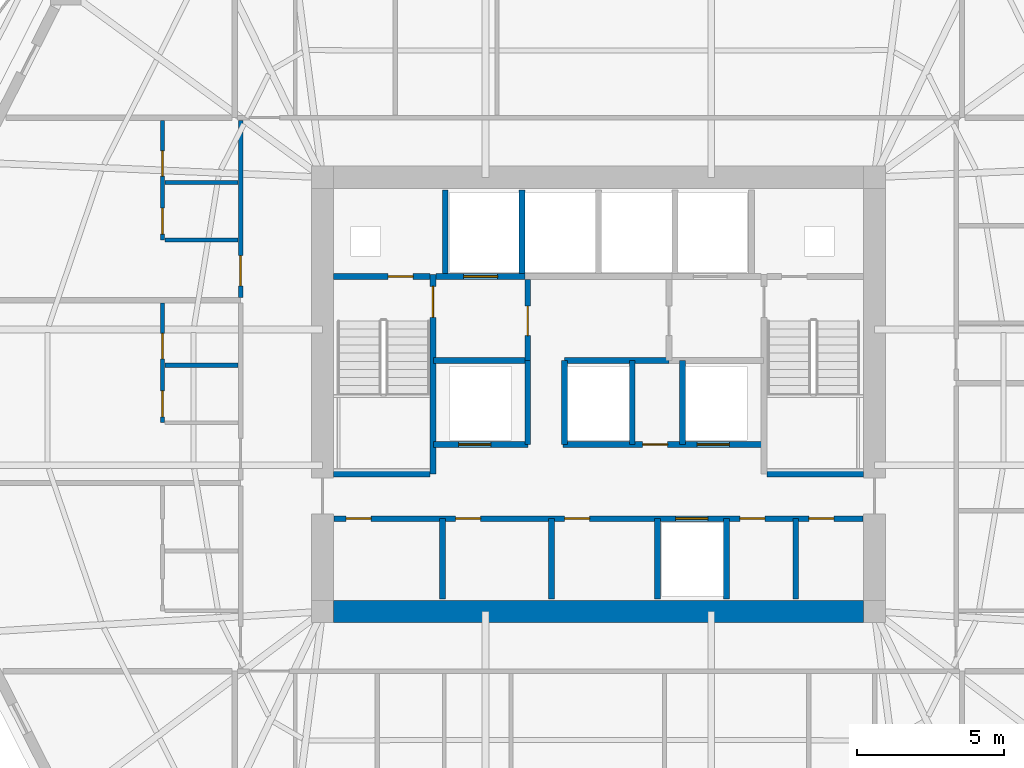
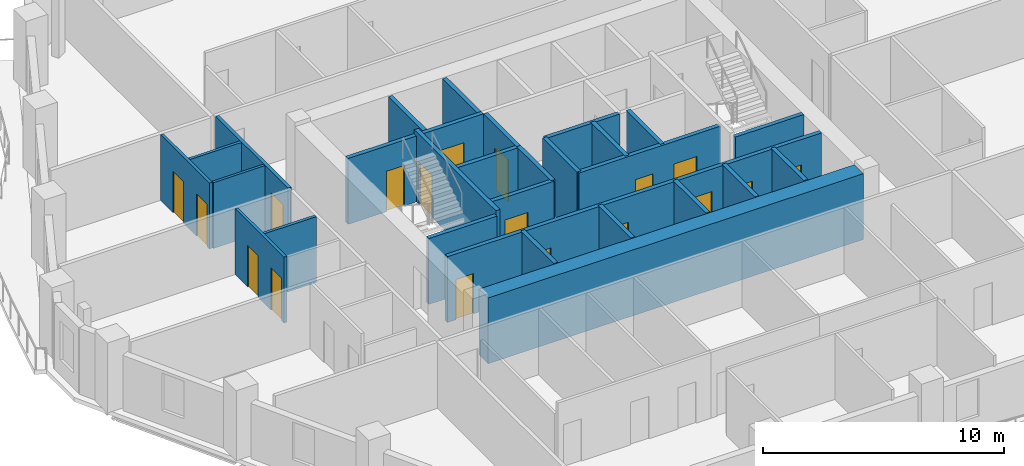
# One storey, part 5 of 10: 29 walls, 18 doors, 18 openings.
"""IFC4 building model written with IfcOpenShell, lengths in metres."""

import ifcopenshell
import ifcopenshell.guid

model = None  # the IFC model being written
_history = None  # IfcOwnerHistory: only IFC2X3 demands one
_inside = {}  # id of a spatial element -> (the spatial element, [elements in it])
_under = {}  # id of a project, library or spatial element -> (it, [spatial elements below it])
_declared = {}  # id of a project -> (the project, [libraries it declares])
_typed = {}  # id of a type object -> (the type object, [elements of that type])
_made_of = {}  # id of a material, layer set ... -> (it, [elements and type objects made of it])


def new_model(schema):
    """Start an empty IFC model of exactly this schema.

    Asked for "IFC4X3", IfcOpenShell would pick the latest addendum, in which some entities
    have other attributes; the version numbers below select the first issue.
    IFC2X3 requires an IfcOwnerHistory on every rooted entity: one is made here for all.
    """
    global model, _history
    if schema == "IFC4X3":
        model = ifcopenshell.file(schema_version=(4, 3, 0, 0))
    else:
        model = ifcopenshell.file(schema=schema)
    _inside.clear()
    _under.clear()
    _declared.clear()
    _typed.clear()
    _made_of.clear()
    _history = None
    if model.schema == "IFC2X3":
        org = make("IfcOrganization", Name="unknown")
        user = make(
            "IfcPersonAndOrganization",
            ThePerson=make("IfcPerson", FamilyName="unknown"),
            TheOrganization=org,
        )
        app = make(
            "IfcApplication",
            ApplicationDeveloper=org,
            Version="unknown",
            ApplicationFullName="unknown",
            ApplicationIdentifier="unknown",
        )
        _history = make(
            "IfcOwnerHistory",
            OwningUser=user,
            OwningApplication=app,
            ChangeAction="ADDED",
            CreationDate=0,
        )
    return model


def make(cls, **values):
    """One entity of the class cls with the attributes given. An attribute that is None is left unset."""
    return model.create_entity(
        cls, **{name: value for name, value in values.items() if value is not None}
    )


def rooted(cls, **values):
    """An entity with a GlobalId (a new one), such as an element, a storey or a relation."""
    return make(cls, GlobalId=ifcopenshell.guid.new(), OwnerHistory=_history, **values)


def si_unit(unit_type, name, prefix=None):
    """IfcSIUnit, for example si_unit("LENGTHUNIT", "METRE", prefix="MILLI")."""
    return make("IfcSIUnit", UnitType=unit_type, Prefix=prefix, Name=name)


def assignment(units):
    """IfcUnitAssignment: the units of a project."""
    return None if units is None else make("IfcUnitAssignment", Units=units)


def point(xyz):
    """IfcCartesianPoint."""
    return None if xyz is None else make("IfcCartesianPoint", Coordinates=xyz)


def direction(xyz):
    """IfcDirection."""
    return None if xyz is None else make("IfcDirection", DirectionRatios=xyz)


def frame(location, z_axis=None, x_axis=None):
    """IfcAxis2Placement3D, a coordinate frame: its origin and axes. An axis left out is left unset."""
    return make(
        "IfcAxis2Placement3D",
        Location=point(location),
        Axis=direction(z_axis),
        RefDirection=direction(x_axis),
    )


def frame_2d(location, x_axis=None):
    """IfcAxis2Placement2D, a coordinate frame in the plane: its origin and x axis."""
    return make(
        "IfcAxis2Placement2D", Location=point(location), RefDirection=direction(x_axis)
    )


def origin():
    """The frame at (0, 0, 0) with its axes left unset."""
    return frame((0.0, 0.0, 0.0))


def place(relative_to, where):
    """IfcLocalPlacement: puts the frame where relative to a parent placement (None: the world)."""
    return make(
        "IfcLocalPlacement", PlacementRelTo=relative_to, RelativePlacement=where
    )


def context(
    kind, dimensions, precision=None, world=None, true_north=None, identifier=None
):
    """IfcGeometricRepresentationContext, for example the 3D "Model" context."""
    return make(
        "IfcGeometricRepresentationContext",
        ContextIdentifier=identifier,
        ContextType=kind,
        CoordinateSpaceDimension=dimensions,
        Precision=precision,
        WorldCoordinateSystem=world,
        TrueNorth=true_north,
    )


def subcontext(parent, identifier, kind, view, scale=None):
    """IfcGeometricRepresentationSubContext, for example "Body" below "Model"."""
    return make(
        "IfcGeometricRepresentationSubContext",
        ContextIdentifier=identifier,
        ContextType=kind,
        ParentContext=parent,
        TargetScale=scale,
        TargetView=view,
    )


def project(units=None, contexts=None):
    """IfcProject with its units and contexts."""
    return rooted(
        "IfcProject",
        Name="project",
        RepresentationContexts=contexts,
        UnitsInContext=assignment(units),
    )


def spatial(cls, under=None, at=None, **own):
    """A site, building, storey or space (cls), placed at a placement, below another one or the project."""
    s = rooted(cls, ObjectPlacement=at, **own)
    if under is not None:
        _under.setdefault(under.id(), (under, []))[1].append(s)
    return s


def profile(cls, at=None, kind="AREA", **sizes):
    """A parametric profile (cls). Its sizes go by their IFC names, for example OverallWidth=200.0."""
    return make(cls, ProfileType=kind, Position=at, **sizes)


def rectangle(**sizes):
    """IfcRectangleProfileDef."""
    return profile("IfcRectangleProfileDef", **sizes)


def extrude(swept, where, along, depth):
    """IfcExtrudedAreaSolid: the profile swept, set in the frame where, extruded along a direction by depth."""
    return make(
        "IfcExtrudedAreaSolid",
        SweptArea=swept,
        Position=where,
        ExtrudedDirection=direction(along),
        Depth=depth,
    )


def shape(context_of_items, identifier, shape_type, items):
    """IfcShapeRepresentation: the items that make up one representation, for example the "Body"."""
    return make(
        "IfcShapeRepresentation",
        ContextOfItems=context_of_items,
        RepresentationIdentifier=identifier,
        RepresentationType=shape_type,
        Items=items,
    )


def material(Name=None, Category=None):
    """IfcMaterial."""
    return make("IfcMaterial", Name=Name, Category=Category)


def layer(
    of_material, thickness, ventilated=None, Name=None, Category=None, Priority=None
):
    """IfcMaterialLayer: one layer of a wall or slab, of a material (None: an air gap)."""
    return make(
        "IfcMaterialLayer",
        Material=of_material,
        LayerThickness=thickness,
        IsVentilated=ventilated,
        Name=Name,
        Category=Category,
        Priority=Priority,
    )


def layer_set(layers, Name=None):
    """IfcMaterialLayerSet."""
    return make("IfcMaterialLayerSet", MaterialLayers=layers, LayerSetName=Name)


def made_of(thing, what):
    """Note that an element or type object is made of a material, layer set ...; save() writes the relation."""
    if what is not None:
        _made_of.setdefault(what.id(), (what, []))[1].append(thing)
    return thing


def type_object(cls, material=None, **own):
    """A type object (cls), such as IfcWallType, which elements share."""
    return made_of(rooted(cls, **own), material)


def element(
    cls,
    number,
    at=None,
    inside=None,
    cuts=None,
    type_object=None,
    material=None,
    context=None,
    identifier="Body",
    shape_type=None,
    held_by="IfcProductDefinitionShape",
    body=None,
    shapes=None,
    **own,
):
    """One element of the class cls, such as IfcWall. Its Tag is "e" and its number.

    at: its placement. inside: the storey or other place that contains it. cuts: it is an
    opening in that element (IfcRelVoidsElement). A single representation is given by context,
    identifier, shape_type and body (its items); several are given by shapes. held_by: the class
    of the entity that holds the representations. save() writes the other relations.
    """
    e = rooted(cls, Tag="e%d" % number, ObjectPlacement=at, **own)
    if body is not None:
        shapes = [shape(context, identifier, shape_type, body)]
    if shapes is not None:
        e.Representation = make(held_by, Representations=shapes)
    if inside is not None:
        _inside.setdefault(inside.id(), (inside, []))[1].append(e)
    if cuts is not None:
        rooted(
            "IfcRelVoidsElement", RelatingBuildingElement=cuts, RelatedOpeningElement=e
        )
    if type_object is not None:
        _typed.setdefault(type_object.id(), (type_object, []))[1].append(e)
    return made_of(e, material)


def fill(opening, filler):
    """IfcRelFillsElement: the door or window that sits in an opening."""
    return rooted(
        "IfcRelFillsElement",
        RelatingOpeningElement=opening,
        RelatedBuildingElement=filler,
    )


def aggregate(whole, parts):
    """IfcRelAggregates: a whole, such as a stair, and the parts it consists of."""
    return rooted("IfcRelAggregates", RelatingObject=whole, RelatedObjects=parts)


def save(model, path):
    """Write the relations noted so far, then the file.

    IfcRelAggregates (storeys below a building ...), IfcRelContainedInSpatialStructure (elements
    in a storey), IfcRelDefinesByType, IfcRelAssociatesMaterial and IfcRelDeclares: one each for
    every whole, place, type object, material and project.
    """
    for whole, parts in _under.values():
        aggregate(whole, parts)
    for where, things in _inside.values():
        rooted(
            "IfcRelContainedInSpatialStructure",
            RelatedElements=things,
            RelatingStructure=where,
        )
    for kind, things in _typed.values():
        rooted("IfcRelDefinesByType", RelatedObjects=things, RelatingType=kind)
    for what, things in _made_of.values():
        rooted("IfcRelAssociatesMaterial", RelatedObjects=things, RelatingMaterial=what)
    for by, libraries in _declared.values():
        rooted("IfcRelDeclares", RelatingContext=by, RelatedDefinitions=libraries)
    model.write(path)


model = new_model("IFC4")

# Units and contexts
model_context = context("Model", 3, precision=1e-05, world=origin(), true_north=direction((0.0, 1.0)))
body_context = subcontext(model_context, "Body", "Model", "MODEL_VIEW")
ifc_project = project(units=[si_unit("LENGTHUNIT", "METRE"), si_unit("AREAUNIT", "SQUARE_METRE"), si_unit("VOLUMEUNIT", "CUBIC_METRE"), si_unit("PLANEANGLEUNIT", "RADIAN"), si_unit("MASSUNIT", "GRAM", prefix="KILO")], contexts=[model_context])

# Site, building, storey
site_placement = place(None, origin())
site = spatial("IfcSite", under=ifc_project, at=site_placement, CompositionType="ELEMENT")
building_placement = place(site_placement, origin())
building = spatial("IfcBuilding", under=site, at=building_placement, Name="Cinnabar Lancet Tower", CompositionType="ELEMENT")
storey_placement = place(building_placement, frame((0.0, 0.0, 119.699951171875)))
storey = spatial("IfcBuildingStorey", under=building, at=storey_placement, Name="L31", CompositionType="ELEMENT", Elevation=119.699951171875)

# Wall, opening, door
ifc_material_1 = material(Name="Acoustic twin-stud gypsum partition", Category="gypsum")
ifc_layer_1 = layer(ifc_material_1, 0.159912109375)
ifc_layer_set_1 = layer_set([ifc_layer_1], Name="Acoustic twin-stud gypsum partition")
wall_type_1 = type_object("IfcWallType", Name="ARC-WL-CORR-160", PredefinedType="PARTITIONING", material=ifc_layer_set_1)
wall_1_placement = place(storey_placement, frame((20.25, 29.19091796875, 0.0), z_axis=(0.0, 0.0, 1.0), x_axis=(0.0, 1.0, 0.0)))
wall_1 = element("IfcWall", 1, at=wall_1_placement, inside=storey, type_object=wall_type_1, Name="UW-L31-W03-COR", PredefinedType="PARTITIONING", context=body_context, shape_type="SweptSolid", body=[
    extrude(rectangle(XDim=6.01416015625, YDim=0.159912109375, at=frame_2d((3.007080078125, 0.0))), origin(), (0.0, 0.0, 1.0), 3.340087890625),
])
opening_1_placement = place(wall_1_placement, frame((0.39990234375, 0.0, 0.0)))
opening_1 = element("IfcOpeningElement", 2, at=opening_1_placement, cuts=wall_1, Name="Opening UD-01", PredefinedType="OPENING", context=body_context, shape_type="SweptSolid", body=[
    extrude(rectangle(XDim=1.02001953125, YDim=2.25, at=frame_2d((0.510009765625, 1.125))), frame((0.0, 0.08984375, 0.0), z_axis=(0.0, -1.0, 0.0), x_axis=(1.0, 0.0, 0.0)), (0.0, 0.0, 1.0), 0.179931640625),
])
ifc_material_2 = material(Name="Solid timber fire-rated apartment entrance door", Category="wood")
door_type_1 = type_object("IfcDoorType", Name="ARC-DR-UNIT", OperationType="NOTDEFINED", PredefinedType="DOOR", material=ifc_material_2)
door_1_placement = place(opening_1_placement, origin())
door_1 = element("IfcDoor", 3, at=door_1_placement, inside=storey, type_object=door_type_1, Name="DR-L31-W03-ENT", OperationType="SINGLE_SWING_LEFT", OverallHeight=2.25, OverallWidth=1.02001953125, PredefinedType="DOOR", context=body_context, shape_type="SweptSolid", body=[
    extrude(rectangle(XDim=1.02001953125, YDim=2.25, at=frame_2d((0.510009765625, 1.125))), frame((0.0, 0.02490234375, 0.0), z_axis=(0.0, -1.0, 0.0), x_axis=(1.0, 0.0, 0.0)), (0.0, 0.0, 1.0), 0.050048828125),
])
fill(opening_1, door_1)

# Walls
ifc_material_3 = material(Name="Autoclaved aerated concrete blockwork", Category="masonry")
ifc_layer_2 = layer(ifc_material_3, 0.199951171875)
ifc_layer_set_2 = layer_set([ifc_layer_2], Name="Autoclaved aerated concrete blockwork")
wall_type_2 = type_object("IfcWallType", Name="ARC-WL-SHAFT-200", PredefinedType="PLUMBINGWALL", material=ifc_layer_set_2)
for number, where, z_axis, x_axis, name in (
    (4, (23.405029296875, 23.199951171875, 0.0), (0.0, 0.0, 1.0), (1.0, 0.0, 0.0), "CW-ST1S-L31"),
    (5, (38.125, 23.199951171875, 0.0), (0.0, 0.0, 1.0), (1.0, 0.0, 0.0), "CW-ST2S-L31"),
):
    element("IfcWall", number, at=place(storey_placement, frame(where, z_axis=z_axis, x_axis=x_axis)), inside=storey, type_object=wall_type_2, Name=name, PredefinedType="PLUMBINGWALL", context=body_context, shape_type="SweptSolid", body=[
        extrude(rectangle(XDim=3.27001953125, YDim=0.199951171875, at=frame_2d((1.635009765625, 0.0))), origin(), (0.0, 0.0, 1.0), 3.340087890625),
    ])

# Wall, opening, door
wall_2_placement = place(storey_placement, frame((23.405029296875, 29.89990234375, 0.0), z_axis=(0.0, 0.0, 1.0), x_axis=(1.0, 0.0, 0.0)))
wall_2 = element("IfcWall", 6, at=wall_2_placement, inside=storey, type_object=wall_type_2, Name="CW-NSH-W-L31", PredefinedType="PLUMBINGWALL", context=body_context, shape_type="SweptSolid", body=[
    extrude(rectangle(XDim=3.27001953125, YDim=0.199951171875, at=frame_2d((1.635009765625, 0.0))), origin(), (0.0, 0.0, 1.0), 3.340087890625),
])
opening_2_placement = place(wall_2_placement, frame((1.85009765625, 0.0, 0.0)))
opening_2 = element("IfcOpeningElement", 7, at=opening_2_placement, cuts=wall_2, Name="Opening PD-02", PredefinedType="OPENING", context=body_context, shape_type="SweptSolid", body=[
    extrude(rectangle(XDim=0.85009765625, YDim=2.050048828125, at=frame_2d((0.425048828125, 1.02490234375))), frame((0.0, 0.10986328125, 0.0), z_axis=(0.0, -1.0, 0.0), x_axis=(1.0, 0.0, 0.0)), (0.0, 0.0, 1.0), 0.219970703125),
])
ifc_material_4 = material(Name="Fire-rated steel riser access door", Category="steel")
door_type_2 = type_object("IfcDoorType", Name="ARC-DR-RISER", OperationType="NOTDEFINED", PredefinedType="DOOR", material=ifc_material_4)
door_2_placement = place(opening_2_placement, origin())
door_2 = element("IfcDoor", 8, at=door_2_placement, inside=storey, type_object=door_type_2, Name="L31 West Riser Access Door", OperationType="SINGLE_SWING_LEFT", OverallHeight=2.050048828125, OverallWidth=0.85009765625, PredefinedType="DOOR", context=body_context, shape_type="SweptSolid", body=[
    extrude(rectangle(XDim=0.85009765625, YDim=2.050048828125, at=frame_2d((0.425048828125, 1.02490234375))), frame((0.0, 0.02490234375, 0.0), z_axis=(0.0, -1.0, 0.0), x_axis=(1.0, 0.0, 0.0)), (0.0, 0.0, 1.0), 0.050048828125),
])
fill(opening_2, door_2)

wall_3_placement = place(storey_placement, frame((26.885009765625, 29.89990234375, 0.0), z_axis=(0.0, 0.0, 1.0), x_axis=(1.0, 0.0, 0.0)))
wall_3 = element("IfcWall", 9, at=wall_3_placement, inside=storey, type_object=wall_type_2, Name="CW-FL1-L31", PredefinedType="PLUMBINGWALL", context=body_context, shape_type="SweptSolid", body=[
    extrude(rectangle(XDim=3.014892578125, YDim=0.199951171875, at=frame_2d((1.50732421875, 0.0))), origin(), (0.0, 0.0, 1.0), 3.340087890625),
])
opening_3_placement = place(wall_3_placement, frame((0.93994140625, 0.0, 0.0)))
opening_3 = element("IfcOpeningElement", 10, at=opening_3_placement, cuts=wall_3, Name="Opening LD-02", PredefinedType="OPENING", context=body_context, shape_type="SweptSolid", body=[
    extrude(rectangle(XDim=1.14990234375, YDim=2.199951171875, at=frame_2d((0.574951171875, 1.10009765625))), frame((0.0, 0.10986328125, 0.0), z_axis=(0.0, -1.0, 0.0), x_axis=(1.0, 0.0, 0.0)), (0.0, 0.0, 1.0), 0.219970703125),
])
ifc_material_5 = material(Name="Fire-rated stainless steel firefighting lift landing door", Category="steel")
door_type_3 = type_object("IfcDoorType", Name="ARC-DR-LD-FIRE", OperationType="NOTDEFINED", PredefinedType="DOOR", material=ifc_material_5)
door_3_placement = place(opening_3_placement, origin())
door_3 = element("IfcDoor", 11, at=door_3_placement, inside=storey, type_object=door_type_3, Name="L31 Firefighting Lift FL-1 Landing Door", OperationType="DOUBLE_DOOR_SLIDING", OverallHeight=2.199951171875, OverallWidth=1.14990234375, PredefinedType="DOOR", context=body_context, shape_type="SweptSolid", body=[
    extrude(rectangle(XDim=1.14990234375, YDim=2.199951171875, at=frame_2d((0.574951171875, 1.10009765625))), frame((0.0, 0.02490234375, 0.0), z_axis=(0.0, -1.0, 0.0), x_axis=(1.0, 0.0, 0.0)), (0.0, 0.0, 1.0), 0.050048828125),
])
fill(opening_3, door_3)

# Walls
for number, where, z_axis, x_axis, name in (
    (12, (27.199951171875, 30.0, 0.0), (0.0, 0.0, 1.0), (0.0, 1.0, 0.0), "CW-NSH-D1-L31"),
    (13, (29.800048828125, 30.0, 0.0), (0.0, 0.0, 1.0), (0.0, 1.0, 0.0), "CW-NSH-D2-L31"),
):
    element("IfcWall", number, at=place(storey_placement, frame(where, z_axis=z_axis, x_axis=x_axis)), inside=storey, type_object=wall_type_2, Name=name, PredefinedType="PLUMBINGWALL", context=body_context, shape_type="SweptSolid", body=[
        extrude(rectangle(XDim=2.85009765625, YDim=0.199951171875, at=frame_2d((1.425048828125, 0.0))), origin(), (0.0, 0.0, 1.0), 3.340087890625),
    ])

# Wall, opening, door
wall_4_placement = place(storey_placement, frame((30.0, 27.050048828125, 0.0), z_axis=(0.0, 0.0, 1.0), x_axis=(0.0, 1.0, 0.0)))
wall_4 = element("IfcWall", 14, at=wall_4_placement, inside=storey, type_object=wall_type_2, Name="CW-FF1E-L31", PredefinedType="PLUMBINGWALL", context=body_context, shape_type="SweptSolid", body=[
    extrude(rectangle(XDim=2.75, YDim=0.199951171875, at=frame_2d((1.375, 0.0))), origin(), (0.0, 0.0, 1.0), 3.340087890625),
])
opening_4_placement = place(wall_4_placement, frame((0.85009765625, 0.0, 0.0)))
opening_4 = element("IfcOpeningElement", 15, at=opening_4_placement, cuts=wall_4, Name="Opening FD-01", PredefinedType="OPENING", context=body_context, shape_type="SweptSolid", body=[
    extrude(rectangle(XDim=1.0, YDim=2.14990234375, at=frame_2d((0.5, 1.074951171875))), frame((0.0, 0.10986328125, 0.0), z_axis=(0.0, -1.0, 0.0), x_axis=(1.0, 0.0, 0.0)), (0.0, 0.0, 1.0), 0.219970703125),
])
ifc_material_6 = material(Name="Fire-rated timber-core lobby door", Category="wood")
door_type_4 = type_object("IfcDoorType", Name="ARC-DR-FFAL", OperationType="NOTDEFINED", PredefinedType="DOOR", material=ifc_material_6)
door_4_placement = place(opening_4_placement, origin())
door_4 = element("IfcDoor", 16, at=door_4_placement, inside=storey, type_object=door_type_4, Name="L31 FFAL-1 Lobby Fire Door", OperationType="SINGLE_SWING_RIGHT", OverallHeight=2.14990234375, OverallWidth=1.0, PredefinedType="DOOR", context=body_context, shape_type="SweptSolid", body=[
    extrude(rectangle(XDim=1.0, YDim=2.14990234375, at=frame_2d((0.5, 1.074951171875))), frame((0.0, 0.02490234375, 0.0), z_axis=(0.0, -1.0, 0.0), x_axis=(1.0, 0.0, 0.0)), (0.0, 0.0, 1.0), 0.050048828125),
])
fill(opening_4, door_4)

# Wall
wall_5_placement = place(storey_placement, frame((26.800048828125, 27.050048828125, 0.0), z_axis=(0.0, 0.0, 1.0), x_axis=(1.0, 0.0, 0.0)))
element("IfcWall", 17, at=wall_5_placement, inside=storey, type_object=wall_type_2, Name="CW-FF1S-L31", PredefinedType="PLUMBINGWALL", context=body_context, shape_type="SweptSolid", body=[
    extrude(rectangle(XDim=3.199951171875, YDim=0.199951171875, at=frame_2d((1.60009765625, 0.0))), origin(), (0.0, 0.0, 1.0), 3.340087890625),
])

# Wall, opening, door
wall_6_placement = place(storey_placement, frame((26.800048828125, 24.199951171875, 0.0), z_axis=(0.0, 0.0, 1.0), x_axis=(1.0, 0.0, 0.0)))
wall_6 = element("IfcWall", 18, at=wall_6_placement, inside=storey, type_object=wall_type_2, Name="CW-PL5S-L31", PredefinedType="PLUMBINGWALL", context=body_context, shape_type="SweptSolid", body=[
    extrude(rectangle(XDim=3.199951171875, YDim=0.199951171875, at=frame_2d((1.60009765625, 0.0))), origin(), (0.0, 0.0, 1.0), 3.340087890625),
])
opening_5_placement = place(wall_6_placement, frame((0.85009765625, 0.0, 0.0)))
opening_5 = element("IfcOpeningElement", 19, at=opening_5_placement, cuts=wall_6, Name="Opening LD-01", PredefinedType="OPENING", context=body_context, shape_type="SweptSolid", body=[
    extrude(rectangle(XDim=1.10009765625, YDim=2.199951171875, at=frame_2d((0.550048828125, 1.10009765625))), frame((0.0, 0.10986328125, 0.0), z_axis=(0.0, -1.0, 0.0), x_axis=(1.0, 0.0, 0.0)), (0.0, 0.0, 1.0), 0.219970703125),
])
ifc_material_7 = material(Name="Brushed stainless steel sliding lift door", Category="steel")
door_type_5 = type_object("IfcDoorType", Name="ARC-DR-LD-PASS", OperationType="NOTDEFINED", PredefinedType="DOOR", material=ifc_material_7)
door_5_placement = place(opening_5_placement, origin())
door_5 = element("IfcDoor", 20, at=door_5_placement, inside=storey, type_object=door_type_5, Name="L31 Lift PL-5 Landing Door", OperationType="DOUBLE_DOOR_SLIDING", OverallHeight=2.199951171875, OverallWidth=1.10009765625, PredefinedType="DOOR", context=body_context, shape_type="SweptSolid", body=[
    extrude(rectangle(XDim=1.10009765625, YDim=2.199951171875, at=frame_2d((0.550048828125, 1.10009765625))), frame((0.0, 0.02490234375, 0.0), z_axis=(0.0, -1.0, 0.0), x_axis=(1.0, 0.0, 0.0)), (0.0, 0.0, 1.0), 0.050048828125),
])
fill(opening_5, door_5)

# Wall
wall_7_placement = place(storey_placement, frame((30.0, 24.199951171875, 0.0), z_axis=(0.0, 0.0, 1.0), x_axis=(0.0, 1.0, 0.0)))
element("IfcWall", 21, at=wall_7_placement, inside=storey, type_object=wall_type_2, Name="CW-PL5E-L31", PredefinedType="PLUMBINGWALL", context=body_context, shape_type="SweptSolid", body=[
    extrude(rectangle(XDim=2.85009765625, YDim=0.199951171875, at=frame_2d((1.425048828125, 0.0))), origin(), (0.0, 0.0, 1.0), 3.340087890625),
])

# Wall, openings, doors
wall_8_placement = place(storey_placement, frame((31.199951171875, 24.199951171875, 0.0), z_axis=(0.0, 0.0, 1.0), x_axis=(1.0, 0.0, 0.0)))
wall_8 = element("IfcWall", 22, at=wall_8_placement, inside=storey, type_object=wall_type_2, Name="CW-PL96S-L31", PredefinedType="PLUMBINGWALL", context=body_context, shape_type="SweptSolid", body=[
    extrude(rectangle(XDim=6.800048828125, YDim=0.199951171875, at=frame_2d((3.39990234375, 0.0))), origin(), (0.0, 0.0, 1.0), 3.340087890625),
])
opening_6_placement = place(wall_8_placement, frame((2.699951171875, 0.0, 0.0)))
opening_6 = element("IfcOpeningElement", 23, at=opening_6_placement, cuts=wall_8, Name="Opening PD-02", PredefinedType="OPENING", context=body_context, shape_type="SweptSolid", body=[
    extrude(rectangle(XDim=0.85009765625, YDim=2.050048828125, at=frame_2d((0.425048828125, 1.02490234375))), frame((0.0, 0.10986328125, 0.0), z_axis=(0.0, -1.0, 0.0), x_axis=(1.0, 0.0, 0.0)), (0.0, 0.0, 1.0), 0.219970703125),
])
opening_7_placement = place(wall_8_placement, frame((4.550048828125, 0.0, 0.0)))
opening_7 = element("IfcOpeningElement", 24, at=opening_7_placement, cuts=wall_8, Name="Opening LD-01", PredefinedType="OPENING", context=body_context, shape_type="SweptSolid", body=[
    extrude(rectangle(XDim=1.10009765625, YDim=2.199951171875, at=frame_2d((0.550048828125, 1.10009765625))), frame((0.0, 0.10986328125, 0.0), z_axis=(0.0, -1.0, 0.0), x_axis=(1.0, 0.0, 0.0)), (0.0, 0.0, 1.0), 0.219970703125),
])
door_6_placement = place(opening_7_placement, origin())
door_6 = element("IfcDoor", 25, at=door_6_placement, inside=storey, type_object=door_type_5, Name="L31 Lift PL-6 Landing Door", OperationType="DOUBLE_DOOR_SLIDING", OverallHeight=2.199951171875, OverallWidth=1.10009765625, PredefinedType="DOOR", context=body_context, shape_type="SweptSolid", body=[
    extrude(rectangle(XDim=1.10009765625, YDim=2.199951171875, at=frame_2d((0.550048828125, 1.10009765625))), frame((0.0, 0.02490234375, 0.0), z_axis=(0.0, -1.0, 0.0), x_axis=(1.0, 0.0, 0.0)), (0.0, 0.0, 1.0), 0.050048828125),
])
fill(opening_7, door_6)
door_7_placement = place(opening_6_placement, origin())
door_7 = element("IfcDoor", 26, at=door_7_placement, inside=storey, type_object=door_type_2, Name="L31 BMS Closet Door", OperationType="SINGLE_SWING_LEFT", OverallHeight=2.050048828125, OverallWidth=0.85009765625, PredefinedType="DOOR", context=body_context, shape_type="SweptSolid", body=[
    extrude(rectangle(XDim=0.85009765625, YDim=2.050048828125, at=frame_2d((0.425048828125, 1.02490234375))), frame((0.0, 0.02490234375, 0.0), z_axis=(0.0, -1.0, 0.0), x_axis=(1.0, 0.0, 0.0)), (0.0, 0.0, 1.0), 0.050048828125),
])
fill(opening_6, door_7)

# Walls
for number, where, z_axis, x_axis, name in (
    (27, (31.25, 24.199951171875, 0.0), (0.0, 0.0, 1.0), (0.0, 1.0, 0.0), "CW-PL9W-L31"),
    (28, (33.550048828125, 24.199951171875, 0.0), (0.0, 0.0, 1.0), (0.0, 1.0, 0.0), "CW-PL9E-L31"),
    (29, (35.25, 24.199951171875, 0.0), (0.0, 0.0, 1.0), (0.0, 1.0, 0.0), "CW-PL6W-L31"),
):
    element("IfcWall", number, at=place(storey_placement, frame(where, z_axis=z_axis, x_axis=x_axis)), inside=storey, type_object=wall_type_2, Name=name, PredefinedType="PLUMBINGWALL", context=body_context, shape_type="SweptSolid", body=[
        extrude(rectangle(XDim=2.85009765625, YDim=0.199951171875, at=frame_2d((1.425048828125, 0.0))), origin(), (0.0, 0.0, 1.0), 3.340087890625),
    ])
wall_9_placement = place(storey_placement, frame((31.25, 27.050048828125, 0.0), z_axis=(0.0, 0.0, 1.0), x_axis=(1.0, 0.0, 0.0)))
element("IfcWall", 30, at=wall_9_placement, inside=storey, type_object=wall_type_2, Name="CW-PL96N-L31", PredefinedType="PLUMBINGWALL", context=body_context, shape_type="SweptSolid", body=[
    extrude(rectangle(XDim=3.550048828125, YDim=0.199951171875, at=frame_2d((1.77490234375, 0.0))), origin(), (0.0, 0.0, 1.0), 3.340087890625),
])

# Wall, openings, doors
wall_10_placement = place(storey_placement, frame((23.419921875, 21.679931640625, 0.0), z_axis=(0.0, 0.0, 1.0), x_axis=(1.0, 0.0, 0.0)))
wall_10 = element("IfcWall", 31, at=wall_10_placement, inside=storey, type_object=wall_type_2, Name="CW-SBANDN-L31", PredefinedType="PLUMBINGWALL", context=body_context, shape_type="SweptSolid", body=[
    extrude(rectangle(XDim=17.9599609375, YDim=0.199951171875, at=frame_2d((8.97998046875, 0.0))), origin(), (0.0, 0.0, 1.0), 3.340087890625),
])
opening_8_placement = place(wall_10_placement, frame((11.60009765625, 0.0, 0.0)))
opening_8 = element("IfcOpeningElement", 32, at=opening_8_placement, cuts=wall_10, Name="Opening LD-01", PredefinedType="OPENING", context=body_context, shape_type="SweptSolid", body=[
    extrude(rectangle(XDim=1.10009765625, YDim=2.199951171875, at=frame_2d((0.550048828125, 1.10009765625))), frame((0.0, 0.10986328125, 0.0), z_axis=(0.0, -1.0, 0.0), x_axis=(1.0, 0.0, 0.0)), (0.0, 0.0, 1.0), 0.219970703125),
])
opening_9_placement = place(wall_10_placement, frame((0.409912109375, 0.0, 0.0)))
opening_9 = element("IfcOpeningElement", 33, at=opening_9_placement, cuts=wall_10, Name="Opening PD-02", PredefinedType="OPENING", context=body_context, shape_type="SweptSolid", body=[
    extrude(rectangle(XDim=0.85009765625, YDim=2.050048828125, at=frame_2d((0.425048828125, 1.02490234375))), frame((0.0, 0.10986328125, 0.0), z_axis=(0.0, -1.0, 0.0), x_axis=(1.0, 0.0, 0.0)), (0.0, 0.0, 1.0), 0.219970703125),
])
opening_10_placement = place(wall_10_placement, frame((4.1298828125, 0.0, 0.0)))
opening_10 = element("IfcOpeningElement", 34, at=opening_10_placement, cuts=wall_10, Name="Opening PD-02", PredefinedType="OPENING", context=body_context, shape_type="SweptSolid", body=[
    extrude(rectangle(XDim=0.85009765625, YDim=2.050048828125, at=frame_2d((0.425048828125, 1.02490234375))), frame((0.0, 0.10986328125, 0.0), z_axis=(0.0, -1.0, 0.0), x_axis=(1.0, 0.0, 0.0)), (0.0, 0.0, 1.0), 0.219970703125),
])
opening_11_placement = place(wall_10_placement, frame((7.830078125, 0.0, 0.0)))
opening_11 = element("IfcOpeningElement", 35, at=opening_11_placement, cuts=wall_10, Name="Opening PD-02", PredefinedType="OPENING", context=body_context, shape_type="SweptSolid", body=[
    extrude(rectangle(XDim=0.85009765625, YDim=2.050048828125, at=frame_2d((0.425048828125, 1.02490234375))), frame((0.0, 0.10986328125, 0.0), z_axis=(0.0, -1.0, 0.0), x_axis=(1.0, 0.0, 0.0)), (0.0, 0.0, 1.0), 0.219970703125),
])
opening_12_placement = place(wall_10_placement, frame((13.780029296875, 0.0, 0.0)))
opening_12 = element("IfcOpeningElement", 36, at=opening_12_placement, cuts=wall_10, Name="Opening PD-02", PredefinedType="OPENING", context=body_context, shape_type="SweptSolid", body=[
    extrude(rectangle(XDim=0.85009765625, YDim=2.050048828125, at=frame_2d((0.425048828125, 1.02490234375))), frame((0.0, 0.10986328125, 0.0), z_axis=(0.0, -1.0, 0.0), x_axis=(1.0, 0.0, 0.0)), (0.0, 0.0, 1.0), 0.219970703125),
])
opening_13_placement = place(wall_10_placement, frame((16.1298828125, 0.0, 0.0)))
opening_13 = element("IfcOpeningElement", 37, at=opening_13_placement, cuts=wall_10, Name="Opening PD-02", PredefinedType="OPENING", context=body_context, shape_type="SweptSolid", body=[
    extrude(rectangle(XDim=0.85009765625, YDim=2.050048828125, at=frame_2d((0.425048828125, 1.02490234375))), frame((0.0, 0.10986328125, 0.0), z_axis=(0.0, -1.0, 0.0), x_axis=(1.0, 0.0, 0.0)), (0.0, 0.0, 1.0), 0.219970703125),
])
door_8_placement = place(opening_8_placement, origin())
door_8 = element("IfcDoor", 38, at=door_8_placement, inside=storey, type_object=door_type_5, Name="L31 Lift PL-4 Landing Door", OperationType="DOUBLE_DOOR_SLIDING", OverallHeight=2.199951171875, OverallWidth=1.10009765625, PredefinedType="DOOR", context=body_context, shape_type="SweptSolid", body=[
    extrude(rectangle(XDim=1.10009765625, YDim=2.199951171875, at=frame_2d((0.550048828125, 1.10009765625))), frame((0.0, 0.02490234375, 0.0), z_axis=(0.0, -1.0, 0.0), x_axis=(1.0, 0.0, 0.0)), (0.0, 0.0, 1.0), 0.050048828125),
])
fill(opening_8, door_8)
door_9_placement = place(opening_9_placement, origin())
door_9 = element("IfcDoor", 39, at=door_9_placement, inside=storey, type_object=door_type_2, Name="DR-L31-MREC1", OperationType="SINGLE_SWING_LEFT", OverallHeight=2.050048828125, OverallWidth=0.85009765625, PredefinedType="DOOR", context=body_context, shape_type="SweptSolid", body=[
    extrude(rectangle(XDim=0.85009765625, YDim=2.050048828125, at=frame_2d((0.425048828125, 1.02490234375))), frame((0.0, 0.02490234375, 0.0), z_axis=(0.0, -1.0, 0.0), x_axis=(1.0, 0.0, 0.0)), (0.0, 0.0, 1.0), 0.050048828125),
])
fill(opening_9, door_9)
door_10_placement = place(opening_10_placement, origin())
door_10 = element("IfcDoor", 40, at=door_10_placement, inside=storey, type_object=door_type_2, Name="DR-L31-MREC2", OperationType="SINGLE_SWING_RIGHT", OverallHeight=2.050048828125, OverallWidth=0.85009765625, PredefinedType="DOOR", context=body_context, shape_type="SweptSolid", body=[
    extrude(rectangle(XDim=0.85009765625, YDim=2.050048828125, at=frame_2d((0.425048828125, 1.02490234375))), frame((0.0, 0.02490234375, 0.0), z_axis=(0.0, -1.0, 0.0), x_axis=(1.0, 0.0, 0.0)), (0.0, 0.0, 1.0), 0.050048828125),
])
fill(opening_10, door_10)
door_11_placement = place(opening_11_placement, origin())
door_11 = element("IfcDoor", 41, at=door_11_placement, inside=storey, type_object=door_type_2, Name="DR-L31-MREC3", OperationType="SINGLE_SWING_LEFT", OverallHeight=2.050048828125, OverallWidth=0.85009765625, PredefinedType="DOOR", context=body_context, shape_type="SweptSolid", body=[
    extrude(rectangle(XDim=0.85009765625, YDim=2.050048828125, at=frame_2d((0.425048828125, 1.02490234375))), frame((0.0, 0.02490234375, 0.0), z_axis=(0.0, -1.0, 0.0), x_axis=(1.0, 0.0, 0.0)), (0.0, 0.0, 1.0), 0.050048828125),
])
fill(opening_11, door_11)
door_12_placement = place(opening_12_placement, origin())
door_12 = element("IfcDoor", 42, at=door_12_placement, inside=storey, type_object=door_type_2, Name="DR-L31-MREC4", OperationType="SINGLE_SWING_RIGHT", OverallHeight=2.050048828125, OverallWidth=0.85009765625, PredefinedType="DOOR", context=body_context, shape_type="SweptSolid", body=[
    extrude(rectangle(XDim=0.85009765625, YDim=2.050048828125, at=frame_2d((0.425048828125, 1.02490234375))), frame((0.0, 0.02490234375, 0.0), z_axis=(0.0, -1.0, 0.0), x_axis=(1.0, 0.0, 0.0)), (0.0, 0.0, 1.0), 0.050048828125),
])
fill(opening_12, door_12)
door_13_placement = place(opening_13_placement, origin())
door_13 = element("IfcDoor", 43, at=door_13_placement, inside=storey, type_object=door_type_2, Name="DR-L31-MREC5", OperationType="SINGLE_SWING_LEFT", OverallHeight=2.050048828125, OverallWidth=0.85009765625, PredefinedType="DOOR", context=body_context, shape_type="SweptSolid", body=[
    extrude(rectangle(XDim=0.85009765625, YDim=2.050048828125, at=frame_2d((0.425048828125, 1.02490234375))), frame((0.0, 0.02490234375, 0.0), z_axis=(0.0, -1.0, 0.0), x_axis=(1.0, 0.0, 0.0)), (0.0, 0.0, 1.0), 0.050048828125),
])
fill(opening_13, door_13)

# Walls
for number, where, z_axis, x_axis, name in (
    (44, (34.39990234375, 18.949951171875, 0.0), (0.0, 0.0, 1.0), (0.0, 1.0, 0.0), "CW-SB-3440-L31"),
    (45, (36.75, 18.949951171875, 0.0), (0.0, 0.0, 1.0), (0.0, 1.0, 0.0), "CW-SB-3675-L31"),
    (46, (27.10009765625, 18.949951171875, 0.0), (0.0, 0.0, 1.0), (0.0, 1.0, 0.0), "CW-SB-2710-L31"),
    (47, (30.800048828125, 18.949951171875, 0.0), (0.0, 0.0, 1.0), (0.0, 1.0, 0.0), "CW-SB-3080-L31"),
    (48, (39.10009765625, 18.949951171875, 0.0), (0.0, 0.0, 1.0), (0.0, 1.0, 0.0), "CW-SB-3910-L31"),
):
    element("IfcWall", number, at=place(storey_placement, frame(where, z_axis=z_axis, x_axis=x_axis)), inside=storey, type_object=wall_type_2, Name=name, PredefinedType="PLUMBINGWALL", context=body_context, shape_type="SweptSolid", body=[
        extrude(rectangle(XDim=2.72998046875, YDim=0.199951171875, at=frame_2d((1.364990234375, 0.0))), origin(), (0.0, 0.0, 1.0), 3.340087890625),
    ])
ifc_material_8 = material(Name="Gypsum plasterboard stud partition", Category="gypsum")
ifc_layer_3 = layer(ifc_material_8, 0.125)
ifc_layer_set_3 = layer_set([ifc_layer_3], Name="Gypsum plasterboard stud partition")
wall_type_3 = type_object("IfcWallType", Name="ARC-WL-UNIT-125", PredefinedType="PARTITIONING", material=ifc_layer_set_3)
wall_11_placement = place(storey_placement, frame((17.68505859375, 31.14599609375, 0.0), z_axis=(0.0, 0.0, 1.0), x_axis=(1.0, 0.0, 0.0)))
element("IfcWall", 49, at=wall_11_placement, inside=storey, type_object=wall_type_3, Name="UW-L31-W03-FOYN", PredefinedType="PARTITIONING", context=body_context, shape_type="SweptSolid", body=[
    extrude(rectangle(XDim=2.47998046875, YDim=0.125, at=frame_2d((1.239990234375, 0.0))), origin(), (0.0, 0.0, 1.0), 3.340087890625),
])

# Wall, openings, doors
ifc_material_9 = material(Name="Moisture-resistant cement-board plumbing wall", Category="masonry")
ifc_layer_4 = layer(ifc_material_9, 0.139892578125)
ifc_layer_set_4 = layer_set([ifc_layer_4], Name="Moisture-resistant cement-board plumbing wall")
wall_type_4 = type_object("IfcWallType", Name="ARC-WL-WET-140", PredefinedType="PLUMBINGWALL", material=ifc_layer_set_4)
wall_12_placement = place(storey_placement, frame((17.60009765625, 24.94189453125, 0.0), z_axis=(0.0, 0.0, 1.0), x_axis=(0.0, 1.0, 0.0)))
wall_12 = element("IfcWall", 50, at=wall_12_placement, inside=storey, type_object=wall_type_4, Name="UW-L31-W02-SPL", PredefinedType="PLUMBINGWALL", context=body_context, shape_type="SweptSolid", body=[
    extrude(rectangle(XDim=4.05908203125, YDim=0.139892578125, at=frame_2d((2.029541015625, 0.0))), origin(), (0.0, 0.0, 1.0), 3.340087890625),
])
opening_14_placement = place(wall_12_placement, frame((2.16796875, 0.0, 0.0)))
opening_14 = element("IfcOpeningElement", 51, at=opening_14_placement, cuts=wall_12, Name="Opening BD-01", PredefinedType="OPENING", context=body_context, shape_type="SweptSolid", body=[
    extrude(rectangle(XDim=0.860107421875, YDim=2.10009765625, at=frame_2d((0.43017578125, 1.050048828125))), frame((0.0, 0.079833984375, 0.0), z_axis=(0.0, -1.0, 0.0), x_axis=(1.0, 0.0, 0.0)), (0.0, 0.0, 1.0), 0.159912109375),
])
opening_15_placement = place(wall_12_placement, frame((0.199951171875, 0.0, 0.0)))
opening_15 = element("IfcOpeningElement", 52, at=opening_15_placement, cuts=wall_12, Name="Opening RD-02", PredefinedType="OPENING", context=body_context, shape_type="SweptSolid", body=[
    extrude(rectangle(XDim=0.8798828125, YDim=2.14990234375, at=frame_2d((0.43994140625, 1.074951171875))), frame((0.0, 0.079833984375, 0.0), z_axis=(0.0, -1.0, 0.0), x_axis=(1.0, 0.0, 0.0)), (0.0, 0.0, 1.0), 0.159912109375),
])
ifc_material_10 = material(Name="Moisture-resistant timber bathroom door", Category="wood")
door_type_6 = type_object("IfcDoorType", Name="ARC-DR-BATH", OperationType="NOTDEFINED", PredefinedType="DOOR", material=ifc_material_10)
door_14_placement = place(opening_14_placement, origin())
door_14 = element("IfcDoor", 53, at=door_14_placement, inside=storey, type_object=door_type_6, Name="DR-L31-W02-BTH", OperationType="SINGLE_SWING_RIGHT", OverallHeight=2.10009765625, OverallWidth=0.860107421875, PredefinedType="DOOR", context=body_context, shape_type="SweptSolid", body=[
    extrude(rectangle(XDim=0.860107421875, YDim=2.10009765625, at=frame_2d((0.43017578125, 1.050048828125))), frame((0.0, 0.02490234375, 0.0), z_axis=(0.0, -1.0, 0.0), x_axis=(1.0, 0.0, 0.0)), (0.0, 0.0, 1.0), 0.050048828125),
])
fill(opening_14, door_14)
ifc_material_11 = material(Name="Engineered timber study door", Category="wood")
door_type_7 = type_object("IfcDoorType", Name="ARC-DR-STUDY", OperationType="NOTDEFINED", PredefinedType="DOOR", material=ifc_material_11)
door_15_placement = place(opening_15_placement, origin())
door_15 = element("IfcDoor", 54, at=door_15_placement, inside=storey, type_object=door_type_7, Name="DR-L31-W02-KIT", OperationType="SINGLE_SWING_LEFT", OverallHeight=2.14990234375, OverallWidth=0.8798828125, PredefinedType="DOOR", context=body_context, shape_type="SweptSolid", body=[
    extrude(rectangle(XDim=0.8798828125, YDim=2.14990234375, at=frame_2d((0.43994140625, 1.074951171875))), frame((0.0, 0.02490234375, 0.0), z_axis=(0.0, -1.0, 0.0), x_axis=(1.0, 0.0, 0.0)), (0.0, 0.0, 1.0), 0.050048828125),
])
fill(opening_15, door_15)

# Wall
wall_13_placement = place(storey_placement, frame((17.68505859375, 26.889892578125, 0.0), z_axis=(0.0, 0.0, 1.0), x_axis=(1.0, 0.0, 0.0)))
element("IfcWall", 55, at=wall_13_placement, inside=storey, type_object=wall_type_4, Name="UW-L31-W02-KDV", PredefinedType="PLUMBINGWALL", context=body_context, shape_type="SweptSolid", body=[
    extrude(rectangle(XDim=2.47998046875, YDim=0.139892578125, at=frame_2d((1.239990234375, 0.0))), origin(), (0.0, 0.0, 1.0), 3.340087890625),
])

# Wall, openings, doors
wall_14_placement = place(storey_placement, frame((17.60009765625, 31.14599609375, 0.0), z_axis=(0.0, 0.0, 1.0), x_axis=(0.0, 1.0, 0.0)))
wall_14 = element("IfcWall", 56, at=wall_14_placement, inside=storey, type_object=wall_type_4, Name="UW-L31-W03-SPL", PredefinedType="PLUMBINGWALL", context=body_context, shape_type="SweptSolid", body=[
    extrude(rectangle(XDim=4.05908203125, YDim=0.139892578125, at=frame_2d((2.029541015625, 0.0))), origin(), (0.0, 0.0, 1.0), 3.340087890625),
])
opening_16_placement = place(wall_14_placement, frame((2.16796875, 0.0, 0.0)))
opening_16 = element("IfcOpeningElement", 57, at=opening_16_placement, cuts=wall_14, Name="Opening BD-01", PredefinedType="OPENING", context=body_context, shape_type="SweptSolid", body=[
    extrude(rectangle(XDim=0.860107421875, YDim=2.10009765625, at=frame_2d((0.43017578125, 1.050048828125))), frame((0.0, 0.079833984375, 0.0), z_axis=(0.0, -1.0, 0.0), x_axis=(1.0, 0.0, 0.0)), (0.0, 0.0, 1.0), 0.159912109375),
])
opening_17_placement = place(wall_14_placement, frame((0.199951171875, 0.0, 0.0)))
opening_17 = element("IfcOpeningElement", 58, at=opening_17_placement, cuts=wall_14, Name="Opening RD-02", PredefinedType="OPENING", context=body_context, shape_type="SweptSolid", body=[
    extrude(rectangle(XDim=0.8798828125, YDim=2.14990234375, at=frame_2d((0.43994140625, 1.074951171875))), frame((0.0, 0.079833984375, 0.0), z_axis=(0.0, -1.0, 0.0), x_axis=(1.0, 0.0, 0.0)), (0.0, 0.0, 1.0), 0.159912109375),
])
door_16_placement = place(opening_16_placement, origin())
door_16 = element("IfcDoor", 59, at=door_16_placement, inside=storey, type_object=door_type_6, Name="DR-L31-W03-BTH", OperationType="SINGLE_SWING_LEFT", OverallHeight=2.10009765625, OverallWidth=0.860107421875, PredefinedType="DOOR", context=body_context, shape_type="SweptSolid", body=[
    extrude(rectangle(XDim=0.860107421875, YDim=2.10009765625, at=frame_2d((0.43017578125, 1.050048828125))), frame((0.0, 0.02490234375, 0.0), z_axis=(0.0, -1.0, 0.0), x_axis=(1.0, 0.0, 0.0)), (0.0, 0.0, 1.0), 0.050048828125),
])
fill(opening_16, door_16)
door_17_placement = place(opening_17_placement, origin())
door_17 = element("IfcDoor", 60, at=door_17_placement, inside=storey, type_object=door_type_7, Name="DR-L31-W03-KIT", OperationType="SINGLE_SWING_RIGHT", OverallHeight=2.14990234375, OverallWidth=0.8798828125, PredefinedType="DOOR", context=body_context, shape_type="SweptSolid", body=[
    extrude(rectangle(XDim=0.8798828125, YDim=2.14990234375, at=frame_2d((0.43994140625, 1.074951171875))), frame((0.0, 0.02490234375, 0.0), z_axis=(0.0, -1.0, 0.0), x_axis=(1.0, 0.0, 0.0)), (0.0, 0.0, 1.0), 0.050048828125),
])
fill(opening_17, door_17)

# Walls
wall_15_placement = place(storey_placement, frame((17.68505859375, 33.093994140625, 0.0), z_axis=(0.0, 0.0, 1.0), x_axis=(1.0, 0.0, 0.0)))
element("IfcWall", 61, at=wall_15_placement, inside=storey, type_object=wall_type_4, Name="UW-L31-W03-KDV", PredefinedType="PLUMBINGWALL", context=body_context, shape_type="SweptSolid", body=[
    extrude(rectangle(XDim=2.47998046875, YDim=0.139892578125, at=frame_2d((1.239990234375, 0.0))), origin(), (0.0, 0.0, 1.0), 3.340087890625),
])
ifc_material_12 = material(Name="Concrete C70/85", Category="concrete")
ifc_layer_5 = layer(ifc_material_12, 0.75)
ifc_layer_set_5 = layer_set([ifc_layer_5], Name="Concrete C70/85")
wall_type_5 = type_object("IfcWallType", Name="STR-WL-CORE-750", PredefinedType="SHEAR", material=ifc_layer_set_5)
wall_16_placement = place(storey_placement, frame((23.39990234375, 18.52490234375, 0.0), z_axis=(0.0, 0.0, 1.0), x_axis=(1.0, 0.0, 0.0)))
element("IfcWall", 62, at=wall_16_placement, inside=storey, type_object=wall_type_5, Name="L31 Core Shear Wall S", PredefinedType="SHEAR", context=body_context, shape_type="SweptSolid", body=[
    extrude(rectangle(XDim=18.0, YDim=0.75, at=frame_2d((9.0, 0.0))), origin(), (0.0, 0.0, 1.0), 3.340087890625),
])

# Wall, opening, door
ifc_material_13 = material(Name="Concrete C50/60", Category="concrete")
ifc_layer_6 = layer(ifc_material_13, 0.199951171875)
ifc_layer_set_6 = layer_set([ifc_layer_6], Name="Concrete C50/60")
wall_type_6 = type_object("IfcWallType", Name="STR-WL-STAIR-200", PredefinedType="SHEAR", material=ifc_layer_set_6)
wall_17_placement = place(storey_placement, frame((26.780029296875, 23.199951171875, 0.0), z_axis=(0.0, 0.0, 1.0), x_axis=(0.0, 1.0, 0.0)))
wall_17 = element("IfcWall", 63, at=wall_17_placement, inside=storey, type_object=wall_type_6, Name="L31 Stair ST-1 Structural Enclosure Wall", PredefinedType="SHEAR", context=body_context, shape_type="SweptSolid", body=[
    extrude(rectangle(XDim=6.780029296875, YDim=0.199951171875, at=frame_2d((3.39013671875, 0.0))), origin(), (0.0, 0.0, 1.0), 3.550048828125),
])
opening_18_placement = place(wall_17_placement, frame((5.320068359375, 0.0, 0.0)))
opening_18 = element("IfcOpeningElement", 64, at=opening_18_placement, cuts=wall_17, Name="Opening SD-01", PredefinedType="OPENING", context=body_context, shape_type="SweptSolid", body=[
    extrude(rectangle(XDim=1.050048828125, YDim=2.14990234375, at=frame_2d((0.52490234375, 1.074951171875))), frame((0.0, 0.10986328125, 0.0), z_axis=(0.0, -1.0, 0.0), x_axis=(1.0, 0.0, 0.0)), (0.0, 0.0, 1.0), 0.219970703125),
])
ifc_material_14 = material(Name="Fire-rated steel stair exit door", Category="steel")
door_type_8 = type_object("IfcDoorType", Name="ARC-DR-STAIR", OperationType="NOTDEFINED", PredefinedType="DOOR", material=ifc_material_14)
door_18_placement = place(opening_18_placement, origin())
door_18 = element("IfcDoor", 65, at=door_18_placement, inside=storey, type_object=door_type_8, Name="L31 Stair ST-1 Fire Door", OperationType="SINGLE_SWING_LEFT", OverallHeight=2.14990234375, OverallWidth=1.050048828125, PredefinedType="DOOR", context=body_context, shape_type="SweptSolid", body=[
    extrude(rectangle(XDim=1.050048828125, YDim=2.14990234375, at=frame_2d((0.52490234375, 1.074951171875))), frame((0.0, 0.02490234375, 0.0), z_axis=(0.0, -1.0, 0.0), x_axis=(1.0, 0.0, 0.0)), (0.0, 0.0, 1.0), 0.050048828125),
])
fill(opening_18, door_18)

save(model, "model.ifc")
